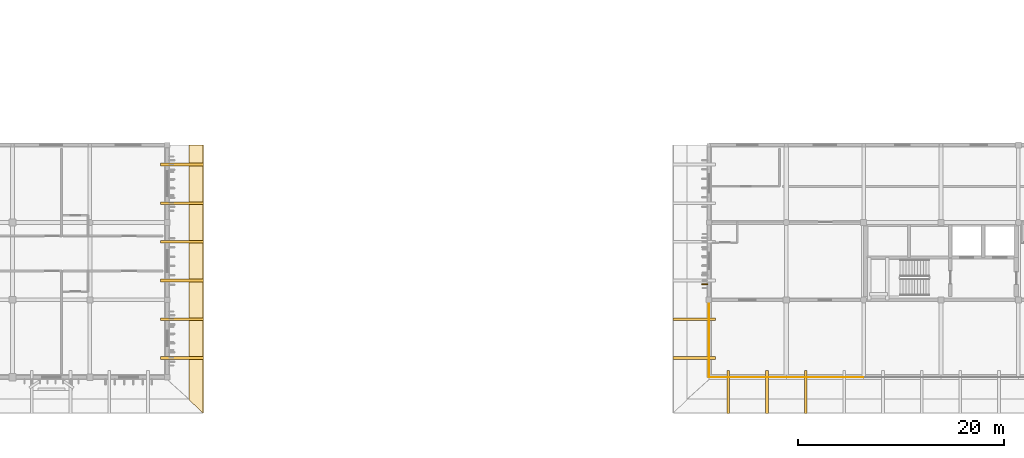
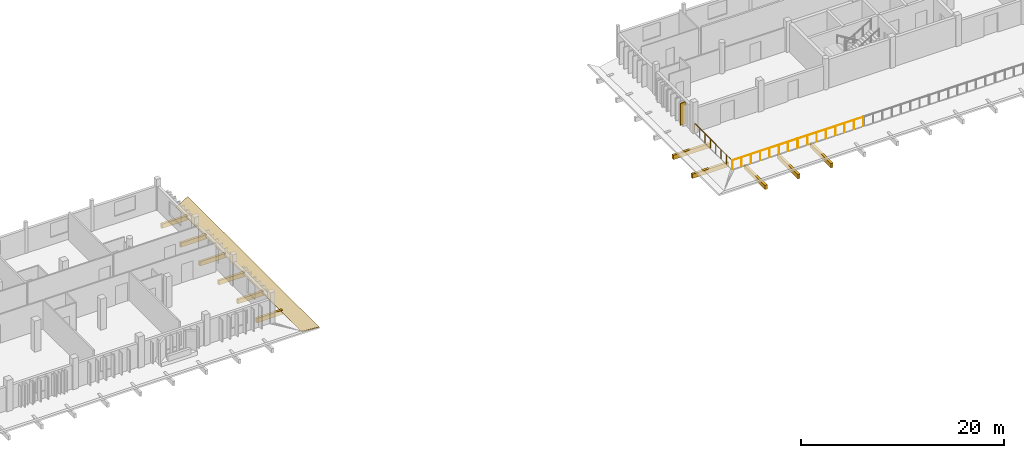
# One storey, part 33 of 43: 13 coverings, 3 railings.
"""IFC4 building model written with IfcOpenShell, lengths in metres."""

from ifc_helpers import new_model, si_unit, direction, frame, origin, origin_2d, place, context, subcontext, project, spatial, polyline, rectangle, circle, outline, extrude, material, layer, layer_set, type_object, element, save


model = new_model("IFC4")

# Units and contexts
model_context = context("Model", 3, precision=1e-05, world=origin(), true_north=direction((0.0, 1.0)))
body_context = subcontext(model_context, "Body", "Model", "MODEL_VIEW")
ifc_project = project(units=[si_unit("LENGTHUNIT", "METRE"), si_unit("AREAUNIT", "SQUARE_METRE"), si_unit("VOLUMEUNIT", "CUBIC_METRE"), si_unit("PLANEANGLEUNIT", "RADIAN"), si_unit("MASSUNIT", "GRAM", prefix="KILO")], contexts=[model_context])

# Site, building, storey
site_placement = place(None, origin())
site = spatial("IfcSite", under=ifc_project, at=site_placement, CompositionType="ELEMENT")
building_placement = place(site_placement, origin())
building = spatial("IfcBuilding", under=site, at=building_placement, Name="Dalvernix Boulevard General Hospital", CompositionType="ELEMENT")
storey_placement = place(building_placement, frame((0.0, 0.0, 14.10009765625)))
storey = spatial("IfcBuildingStorey", under=building, at=storey_placement, Name="L03", CompositionType="ELEMENT", Elevation=14.10009765625)

# Coverings
ifc_material_1 = material(Name="Glazed Catalan terracotta and iroko timber overhanging upturned eave", Category="masonry")
ifc_layer_1 = layer(ifc_material_1, 0.139892578125)
ifc_layer_set_1 = layer_set([ifc_layer_1], Name="Glazed Catalan terracotta and iroko timber overhanging upturned eave (COV-EAVE-01)")
covering_type_1 = type_object("IfcCoveringType", Name="COV-EAVE-01", PredefinedType="CLADDING", material=ifc_layer_set_1)
covering_1_placement = place(storey_placement, frame((62.1201171875, -2.199951171875, -0.5400390625), z_axis=(-0.524777364287, 0.0, 0.851239518544), x_axis=(0.0, 1.0, 0.0)))
element("IfcCovering", 1, at=covering_1_placement, inside=storey, type_object=covering_type_1, Name="TIER-V4-BASE upturned ceramic eave wing E", PredefinedType="CLADDING", context=body_context, shape_type="SweptSolid", body=[
    extrude(outline(polyline([(0.0, 0.0), (24.699951171875, 0.0), (24.699951171875, -1.5622324332978543), (-1.25, -1.5622324332978543), (0.0, 0.0)])), origin(), (0.0, 0.0, -1.0), 0.139892578125),
])
ifc_material_2 = material(Name="Terracotta-clad iroko timber brise-soleil sun-breaker fin", Category="masonry")
ifc_layer_2 = layer(ifc_material_2, 0.10009765625)
ifc_layer_set_2 = layer_set([ifc_layer_2], Name="Terracotta-clad iroko timber brise-soleil sun-breaker fin (COV-FIN-02)")
covering_type_2 = type_object("IfcCoveringType", Name="COV-FIN-02", PredefinedType="CLADDING", material=ifc_layer_set_2)
covering_2_placement = place(storey_placement, frame((112.080078125, 9.012451171875, 0.119873046875), z_axis=(0.0, 0.0, 1.0), x_axis=(0.0, 1.0, 0.0)))
element("IfcCovering", 2, at=covering_2_placement, inside=storey, type_object=covering_type_2, Name="L03 terracotta brise-soleil fin W 15-1-1", PredefinedType="CLADDING", context=body_context, shape_type="SweptSolid", body=[
    extrude(rectangle(XDim=0.10009765625, YDim=0.580078125, at=origin_2d()), origin(), (0.0, 0.0, 1.0), 2.6298828125),
])
ifc_material_3 = material(Name="Preservative-treated glulam GL28h eave outlooker corbel bracket", Category="wood")
ifc_layer_3 = layer(ifc_material_3, 0.239990234375)
ifc_layer_set_3 = layer_set([ifc_layer_3], Name="Preservative-treated glulam GL28h eave outlooker corbel bracket (COV-OUTLOOK-01)")
covering_type_3 = type_object("IfcCoveringType", Name="COV-OUTLOOK-01", PredefinedType="CLADDING", material=ifc_layer_set_3)
for number, where, z_axis, x_axis, name in (
    (3, (61.425048828125, 1.875, -0.940185546875), (0.0, 0.0, 1.0), (1.0, 0.0, 0.0), "TIER-V4-BASE glulam eave outlooker corbel E-1"),
    (4, (61.425048828125, 5.625, -0.940185546875), (0.0, 0.0, 1.0), (1.0, 0.0, 0.0), "TIER-V4-BASE glulam eave outlooker corbel E-2"),
    (5, (61.425048828125, 9.375, -0.940185546875), (0.0, 0.0, 1.0), (1.0, 0.0, 0.0), "TIER-V4-BASE glulam eave outlooker corbel E-3"),
    (6, (61.425048828125, 13.125, -0.940185546875), (0.0, 0.0, 1.0), (1.0, 0.0, 0.0), "TIER-V4-BASE glulam eave outlooker corbel E-4"),
    (7, (61.425048828125, 16.875, -0.940185546875), (0.0, 0.0, 1.0), (1.0, 0.0, 0.0), "TIER-V4-BASE glulam eave outlooker corbel E-5"),
    (8, (61.425048828125, 20.625, -0.940185546875), (0.0, 0.0, 1.0), (1.0, 0.0, 0.0), "TIER-V4-BASE glulam eave outlooker corbel E-6"),
):
    element("IfcCovering", number, at=place(storey_placement, frame(where, z_axis=z_axis, x_axis=x_axis)), inside=storey, type_object=covering_type_3, Name=name, PredefinedType="CLADDING", context=body_context, shape_type="SweptSolid", body=[
        extrude(rectangle(XDim=4.14990234375, YDim=0.260009765625, at=origin_2d()), origin(), (0.0, 0.0, 1.0), 0.52001953125),
    ])
for number, where, z_axis, x_axis, name in (
    (9, (114.375, -1.425048828125, -0.940185546875), (0.0, 0.0, 1.0), (1.0, 0.0, 0.0), "TIER-V5-BASE glulam eave outlooker corbel S-1"),
    (10, (118.125, -1.425048828125, -0.940185546875), (0.0, 0.0, 1.0), (1.0, 0.0, 0.0), "TIER-V5-BASE glulam eave outlooker corbel S-2"),
    (11, (121.875, -1.425048828125, -0.940185546875), (0.0, 0.0, 1.0), (1.0, 0.0, 0.0), "TIER-V5-BASE glulam eave outlooker corbel S-3"),
):
    element("IfcCovering", number, at=place(storey_placement, frame(where, z_axis=z_axis, x_axis=x_axis)), inside=storey, type_object=covering_type_3, Name=name, PredefinedType="CLADDING", context=body_context, shape_type="SweptSolid", body=[
        extrude(rectangle(XDim=0.260009765625, YDim=4.14990234375, at=origin_2d()), origin(), (0.0, 0.0, 1.0), 0.52001953125),
    ])
for number, where, z_axis, x_axis, name in (
    (12, (111.074951171875, 1.875, -0.940185546875), (0.0, 0.0, 1.0), (1.0, 0.0, 0.0), "TIER-V5-BASE glulam eave outlooker corbel W-1"),
    (13, (111.074951171875, 5.625, -0.940185546875), (0.0, 0.0, 1.0), (1.0, 0.0, 0.0), "TIER-V5-BASE glulam eave outlooker corbel W-2"),
):
    element("IfcCovering", number, at=place(storey_placement, frame(where, z_axis=z_axis, x_axis=x_axis)), inside=storey, type_object=covering_type_3, Name=name, PredefinedType="CLADDING", context=body_context, shape_type="SweptSolid", body=[
        extrude(rectangle(XDim=4.14990234375, YDim=0.260009765625, at=origin_2d()), origin(), (0.0, 0.0, 1.0), 0.52001953125),
    ])

# Railings
ifc_material_4 = material(Name="Powder-coated galvanized steel balustrade", Category="steel")
railing_type = type_object("IfcRailingType", Name="RL-GR-EXT1", PredefinedType="BALUSTRADE", material=ifc_material_4)
for number, where, name in (
    (14, (127.4599609375, 0.0, 0.0), "L03 terrace safety balustrade 8"),
    (15, (119.9599609375, 0.0, 0.0), "L03 terrace safety balustrade 9"),
):
    element("IfcRailing", number, at=place(storey_placement, frame(where)), inside=storey, type_object=railing_type, Name=name, PredefinedType="BALUSTRADE", context=body_context, shape_type="SweptSolid", body=[
        extrude(circle(Radius=0.02392578125, at=origin_2d()), frame((0.0, 0.0, 1.09619140625), z_axis=(-1.0, 0.0, 0.0), x_axis=(0.0, -1.0, 0.0)), (0.0, 0.0, 1.0), 7.419921875),
        extrude(circle(Radius=0.02099609375, at=origin_2d()), origin(), (0.0, 0.0, 1.0), 1.072021484375),
        extrude(circle(Radius=0.02099609375, at=origin_2d()), frame((-1.06005859375, 0.0, 0.0)), (0.0, 0.0, 1.0), 1.072021484375),
        extrude(circle(Radius=0.02099609375, at=origin_2d()), frame((-2.119873046875, 0.0, 0.0)), (0.0, 0.0, 1.0), 1.072021484375),
        extrude(circle(Radius=0.02099609375, at=origin_2d()), frame((-3.179931640625, 0.0, 0.0)), (0.0, 0.0, 1.0), 1.072021484375),
        extrude(circle(Radius=0.02099609375, at=origin_2d()), frame((-4.239990234375, 0.0, 0.0)), (0.0, 0.0, 1.0), 1.072021484375),
        extrude(circle(Radius=0.02099609375, at=origin_2d()), frame((-5.300048828125, 0.0, 0.0)), (0.0, 0.0, 1.0), 1.072021484375),
        extrude(circle(Radius=0.02099609375, at=origin_2d()), frame((-6.35986328125, 0.0, 0.0)), (0.0, 0.0, 1.0), 1.072021484375),
        extrude(circle(Radius=0.02099609375, at=origin_2d()), frame((-7.419921875, 0.0, 0.0)), (0.0, 0.0, 1.0), 1.072021484375),
    ])
railing_placement = place(storey_placement, frame((112.5, 0.0400390625, 0.0)))
element("IfcRailing", 16, at=railing_placement, inside=storey, type_object=railing_type, Name="L03 terrace safety balustrade 10", PredefinedType="BALUSTRADE", context=body_context, shape_type="SweptSolid", body=[
    extrude(circle(Radius=0.02392578125, at=origin_2d()), frame((0.0, 0.0, 1.09619140625), z_axis=(0.0, 1.0, 0.0), x_axis=(-1.0, 0.0, 0.0)), (0.0, 0.0, 1.0), 7.369873046875),
    extrude(circle(Radius=0.02099609375, at=origin_2d()), origin(), (0.0, 0.0, 1.0), 1.072021484375),
    extrude(circle(Radius=0.02099609375, at=origin_2d()), frame((0.0, 1.052734375, 0.0)), (0.0, 0.0, 1.0), 1.072021484375),
    extrude(circle(Radius=0.02099609375, at=origin_2d()), frame((0.0, 2.105712890625, 0.0)), (0.0, 0.0, 1.0), 1.072021484375),
    extrude(circle(Radius=0.02099609375, at=origin_2d()), frame((0.0, 3.158447265625, 0.0)), (0.0, 0.0, 1.0), 1.072021484375),
    extrude(circle(Radius=0.02099609375, at=origin_2d()), frame((0.0, 4.21142578125, 0.0)), (0.0, 0.0, 1.0), 1.072021484375),
    extrude(circle(Radius=0.02099609375, at=origin_2d()), frame((0.0, 5.26416015625, 0.0)), (0.0, 0.0, 1.0), 1.072021484375),
    extrude(circle(Radius=0.02099609375, at=origin_2d()), frame((0.0, 6.317138671875, 0.0)), (0.0, 0.0, 1.0), 1.072021484375),
    extrude(circle(Radius=0.02099609375, at=origin_2d()), frame((0.0, 7.369873046875, 0.0)), (0.0, 0.0, 1.0), 1.072021484375),
])

save(model, "model.ifc")
